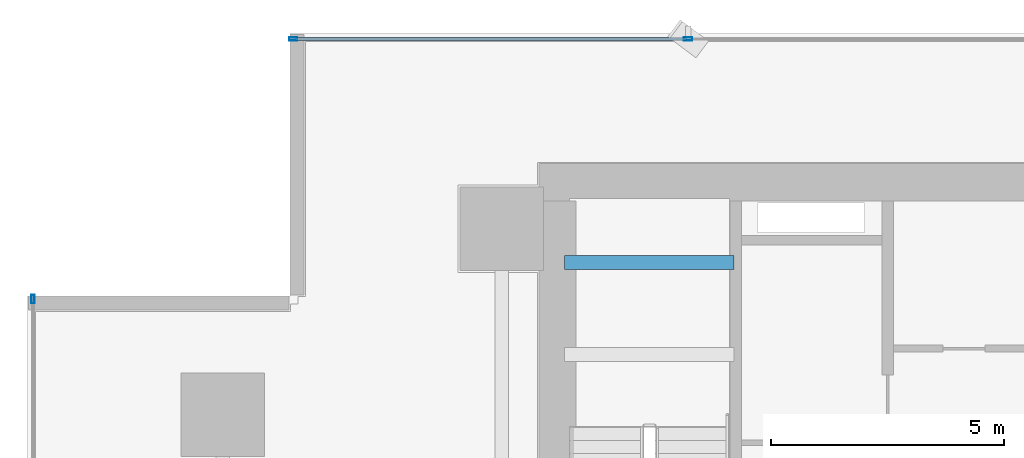
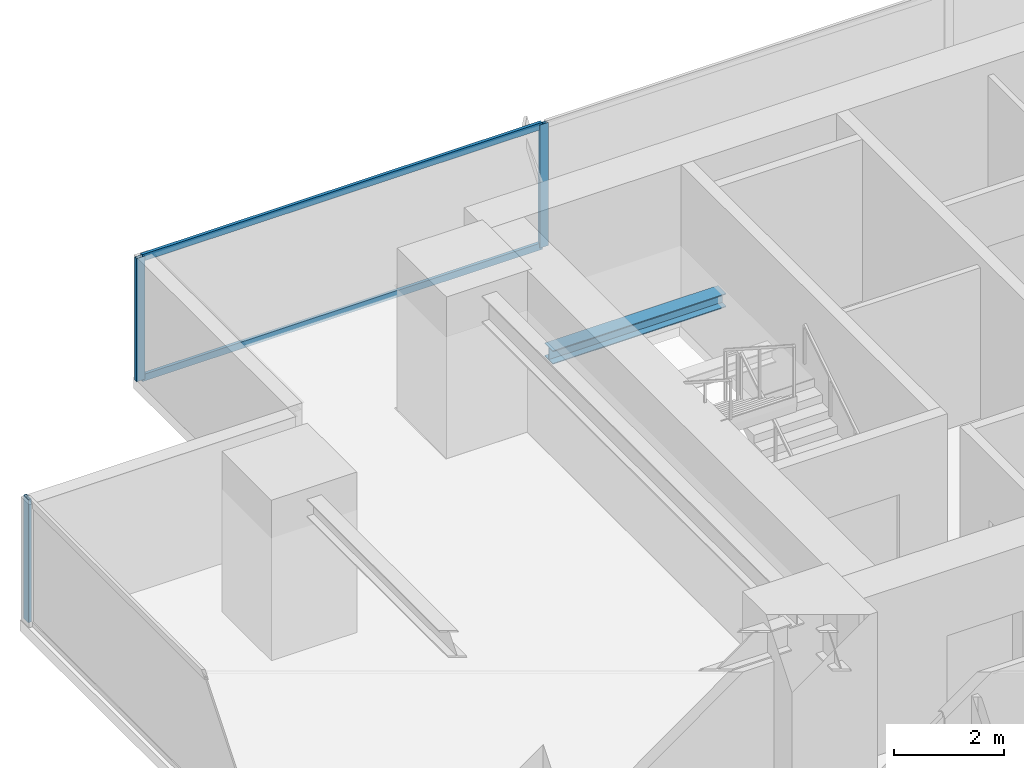
# One storey, part 18 of 34: 5 members, 1 beam, 2 elements without a shape of their own.
"""IFC4 building model written with IfcOpenShell, lengths in metres."""

from ifc_helpers import new_model, si_unit, direction, frame, origin, origin_2d, place, context, subcontext, project, spatial, hollow_rectangle, i_section, extrude, source, transform, mapped, material, layer, layer_set, material_profile, profile_set, type_object, element, aggregate, save


model = new_model("IFC4")

# Units and contexts
model_context = context("Model", 3, precision=1e-05, world=origin(), true_north=direction((0.0, 1.0)))
body_context = subcontext(model_context, "Body", "Model", "MODEL_VIEW")
ifc_project = project(units=[si_unit("LENGTHUNIT", "METRE"), si_unit("AREAUNIT", "SQUARE_METRE"), si_unit("VOLUMEUNIT", "CUBIC_METRE"), si_unit("PLANEANGLEUNIT", "RADIAN"), si_unit("MASSUNIT", "GRAM", prefix="KILO")], contexts=[model_context])

# Site, building, storey
site_placement = place(None, origin())
site = spatial("IfcSite", under=ifc_project, at=site_placement, CompositionType="ELEMENT")
building_placement = place(site_placement, origin())
building = spatial("IfcBuilding", under=site, at=building_placement, Name="Sumidabori Civic Tower", CompositionType="ELEMENT")
storey_placement = place(building_placement, frame((0.0, 0.0, 41.60009765625)))
storey = spatial("IfcBuildingStorey", under=building, at=storey_placement, Name="L10", CompositionType="ELEMENT", Elevation=41.60009765625)

# Beam
ifc_material_1 = material(Name="Steel SN490", Category="steel")
ifc_material_profile_1 = material_profile(ifc_material_1, i_section(OverallWidth=0.300048828125, OverallDepth=0.300048828125, WebThickness=0.010986328125, FlangeThickness=0.01904296875, at=origin_2d()), Name="HE 300 B")
ifc_profile_set_1 = profile_set([ifc_material_profile_1], Name="Steel SN490")
beam_type = type_object("IfcBeamType", Name="BM-LDG-300", PredefinedType="BEAM", material=ifc_profile_set_1)
shared_shape_1 = source(origin(), body_context, "Body", "SweptSolid", [
    extrude(i_section(OverallWidth=0.300048828125, OverallDepth=0.300048828125, WebThickness=0.010986328125, FlangeThickness=0.01904296875, at=origin_2d()), origin(), (0.0, 0.0, 1.0), 3.64990234375),
])
beam_placement = place(storey_placement, frame((-15.449951171875, 22.069580078125, 1.449951171875), z_axis=(1.0, 0.0, 0.0), x_axis=(0.0, 1.0, 0.0)))
element("IfcBeam", 1, at=beam_placement, inside=storey, type_object=beam_type, Name="Stair ST-1 Landing Trimmer Beam L10-1B", PredefinedType="BEAM", context=body_context, shape_type="MappedRepresentation", body=[
    mapped(shared_shape_1, transform((0.0, 0.0, 0.0), x_axis=(1.0, 0.0, 0.0), y_axis=(0.0, 1.0, 0.0), z_axis=(0.0, 0.0, 1.0), scale=1.0)),
])

# Curtain wall, members
ifc_material_2 = material(Name="Anodised Bronze Aluminium AW-6063-T6", Category="aluminium")
ifc_layer = layer(ifc_material_2, 0.179931640625, Name="Anodised Bronze Aluminium AW-6063-T6")
ifc_layer_set = layer_set([ifc_layer], Name="Anodised Bronze Aluminium AW-6063-T6")
curtain_wall_type = type_object("IfcCurtainWallType", Name="CW-SYS-2", PredefinedType="NOTDEFINED", material=ifc_layer_set)
curtain_wall_1_placement = place(storey_placement, origin())
curtain_wall_1 = element("IfcCurtainWall", 2, at=curtain_wall_1_placement, inside=storey, type_object=curtain_wall_type, Name="Curtain Wall CW:L10:R07", PredefinedType="NOTDEFINED")
ifc_material_profile_2 = material_profile(ifc_material_2, hollow_rectangle(XDim=0.070068359375, YDim=0.179931640625, WallThickness=0.006103515625, at=origin_2d()), Name="ALU MULLION 180x70")
ifc_profile_set_2 = profile_set([ifc_material_profile_2], Name="Anodised Bronze Aluminium AW-6063-T6")
member_type_1 = type_object("IfcMemberType", Name="CW-MUL-180", PredefinedType="MULLION", material=ifc_profile_set_2)
shared_shape_2 = source(origin(), body_context, "Body", "SweptSolid", [
    extrude(hollow_rectangle(XDim=0.070068359375, YDim=0.179931640625, WallThickness=0.006103515625, at=origin_2d()), origin(), (0.0, 0.0, 1.0), 2.739990234375),
])
member_1_placement = place(storey_placement, frame((-12.7919921875, 26.8798828125, 0.0), z_axis=(0.0, 0.0, 1.0), x_axis=(0.0, -1.0, 0.0)))
member_1 = element("IfcMember", 3, at=member_1_placement, type_object=member_type_1, Name="CW-2 mullion 5", PredefinedType="MULLION", context=body_context, shape_type="MappedRepresentation", body=[
    mapped(shared_shape_2, transform((0.0, 0.0, 0.0), x_axis=(1.0, 0.0, 0.0), y_axis=(0.0, 1.0, 0.0), z_axis=(0.0, 0.0, 1.0), scale=1.0)),
])
member_2_placement = place(storey_placement, frame((-21.284912109375, 26.8798828125, 0.0), z_axis=(0.0, 0.0, 1.0), x_axis=(0.0, -1.0, 0.0)))
member_2 = element("IfcMember", 4, at=member_2_placement, type_object=member_type_1, Name="CW-2 mullion 6", PredefinedType="MULLION", context=body_context, shape_type="MappedRepresentation", body=[
    mapped(shared_shape_2, transform((0.0, 0.0, 0.0), x_axis=(1.0, 0.0, 0.0), y_axis=(0.0, 1.0, 0.0), z_axis=(0.0, 0.0, 1.0), scale=1.0)),
])

# Curtain wall, member
curtain_wall_2_placement = place(storey_placement, origin())
curtain_wall_2 = element("IfcCurtainWall", 5, at=curtain_wall_2_placement, inside=storey, type_object=curtain_wall_type, Name="Curtain Wall CW:L10:R10", PredefinedType="NOTDEFINED")
member_3_placement = place(storey_placement, frame((-26.8798828125, 21.284912109375, 0.0), z_axis=(0.0, 0.0, 1.0), x_axis=(1.0, 0.0, 0.0)))
member_3 = element("IfcMember", 6, at=member_3_placement, type_object=member_type_1, Name="CW-2 mullion 1", PredefinedType="MULLION", context=body_context, shape_type="MappedRepresentation", body=[
    mapped(shared_shape_2, transform((0.0, 0.0, 0.0), x_axis=(1.0, 0.0, 0.0), y_axis=(0.0, 1.0, 0.0), z_axis=(0.0, 0.0, 1.0), scale=1.0)),
])
aggregate(curtain_wall_2, [member_3])

# Member
ifc_material_profile_3 = material_profile(ifc_material_2, hollow_rectangle(XDim=0.06494140625, YDim=0.14990234375, WallThickness=0.0048828125, at=origin_2d()), Name="ALU TRANSOM 150x65")
ifc_profile_set_3 = profile_set([ifc_material_profile_3], Name="Anodised Bronze Aluminium AW-6063-T6")
member_type_2 = type_object("IfcMemberType", Name="CW-TRN-150", PredefinedType="USERDEFINED", material=ifc_profile_set_3)
shared_shape_3 = source(origin(), body_context, "Body", "SweptSolid", [
    extrude(hollow_rectangle(XDim=0.06494140625, YDim=0.14990234375, WallThickness=0.0048828125, at=origin_2d()), origin(), (0.0, 0.0, 1.0), 8.423095703125),
])
member_4_placement = place(storey_placement, frame((-12.826904296875, 26.8798828125, 0.032470703125), z_axis=(-1.0, 0.0, 0.0), x_axis=(0.0, -1.0, 0.0)))
member_4 = element("IfcMember", 7, at=member_4_placement, type_object=member_type_2, Name="CW-2 transom 5.1", ObjectType="TRANSOM", PredefinedType="USERDEFINED", context=body_context, shape_type="MappedRepresentation", body=[
    mapped(shared_shape_3, transform((0.0, 0.0, 0.0), x_axis=(1.0, 0.0, 0.0), y_axis=(0.0, 1.0, 0.0), z_axis=(0.0, 0.0, 1.0), scale=1.0)),
])

member_5_placement = place(storey_placement, frame((-12.826904296875, 26.8798828125, 2.70751953125), z_axis=(-1.0, 0.0, 0.0), x_axis=(0.0, -1.0, 0.0)))
member_5 = element("IfcMember", 8, at=member_5_placement, type_object=member_type_2, Name="CW-2 transom 5.2", ObjectType="TRANSOM", PredefinedType="USERDEFINED", context=body_context, shape_type="MappedRepresentation", body=[
    mapped(shared_shape_3, transform((0.0, 0.0, 0.0), x_axis=(1.0, 0.0, 0.0), y_axis=(0.0, 1.0, 0.0), z_axis=(0.0, 0.0, 1.0), scale=1.0)),
])

aggregate(curtain_wall_1, [member_1, member_2, member_4, member_5])

save(model, "model.ifc")
